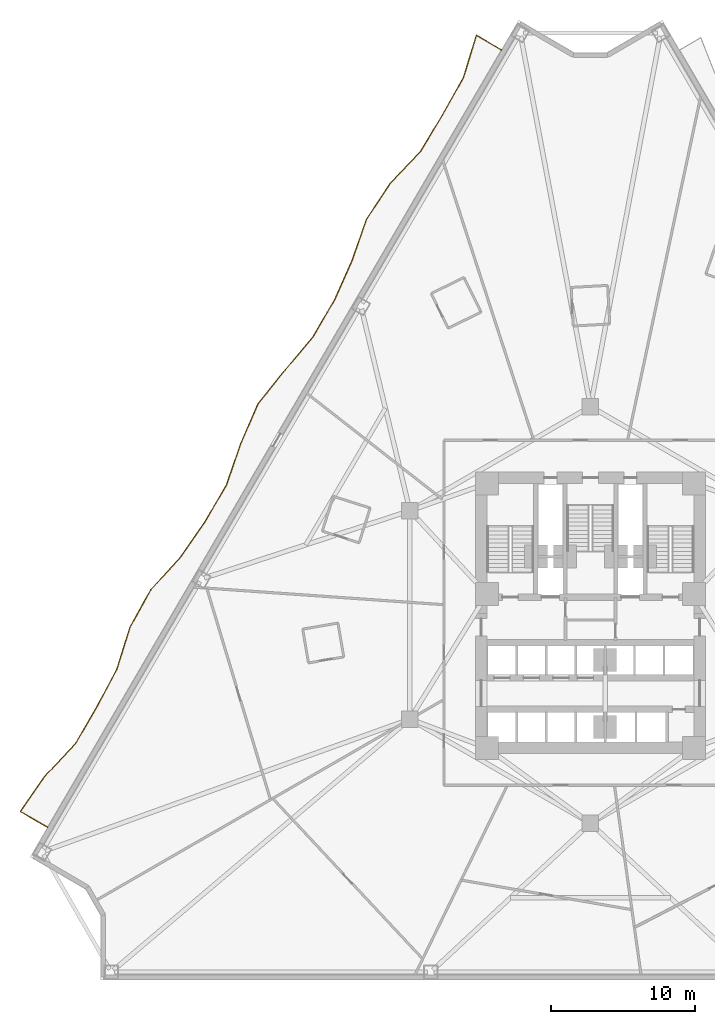
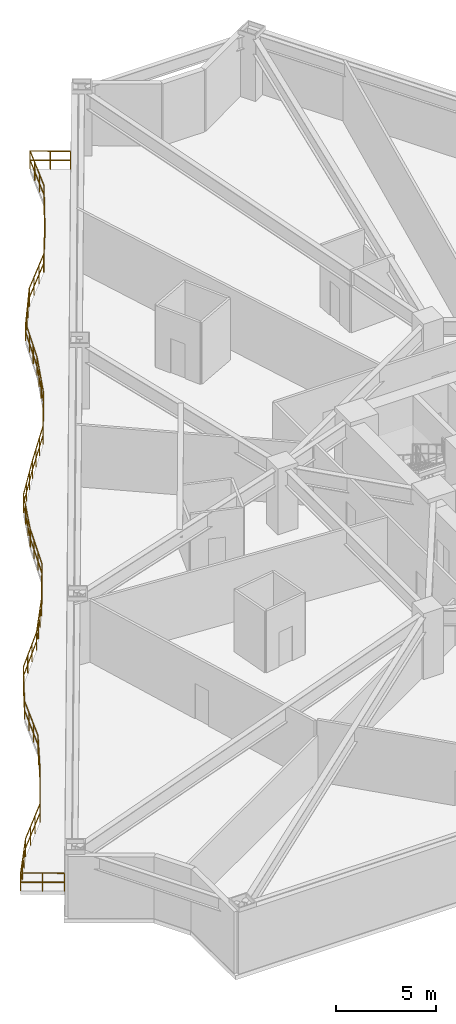
# One storey, part 9 of 11: 1 railing.
"""IFC4 building model written with IfcOpenShell, lengths in metres."""

from ifc_helpers import new_model, si_unit, direction, frame, origin, origin_2d, place, context, subcontext, project, spatial, rectangle, extrude, material, type_object, element, save


model = new_model("IFC4")

# Units and contexts
model_context = context("Model", 3, precision=1e-05, world=origin(), true_north=direction((0.0, 1.0)))
body_context = subcontext(model_context, "Body", "Model", "MODEL_VIEW")
ifc_project = project(units=[si_unit("LENGTHUNIT", "METRE"), si_unit("AREAUNIT", "SQUARE_METRE"), si_unit("VOLUMEUNIT", "CUBIC_METRE"), si_unit("PLANEANGLEUNIT", "RADIAN"), si_unit("MASSUNIT", "GRAM", prefix="KILO")], contexts=[model_context])

# Site, building, storey
site_placement = place(None, origin())
site = spatial("IfcSite", under=ifc_project, at=site_placement, CompositionType="ELEMENT")
building_placement = place(site_placement, origin())
building = spatial("IfcBuilding", under=site, at=building_placement, Name="Apsidion Concourse Tower", CompositionType="ELEMENT")
storey_placement = place(building_placement, frame((0.0, 0.0, 54.39990234375)))
storey = spatial("IfcBuildingStorey", under=building, at=storey_placement, Name="L11", CompositionType="ELEMENT", Elevation=54.39990234375)

# Railing
ifc_material = material(Name="Brushed stainless steel 316", Category="steel")
railing_type = type_object("IfcRailingType", Name="RL-BAL-1120", PredefinedType="BALUSTRADE", material=ifc_material)
railing_placement = place(storey_placement, frame((-37.789306640625, -14.772705078125, 0.0)))
element("IfcRailing", 1, at=railing_placement, inside=storey, type_object=railing_type, Name="L11 Face 1 Rippling Balcony Balustrade", PredefinedType="BALUSTRADE", context=body_context, shape_type="SweptSolid", body=[
    extrude(rectangle(XDim=0.048095703125, YDim=0.048095703125, at=origin_2d()), frame((0.0, 0.0, 1.09619140625), z_axis=(-0.863579747248, 0.504212276866, 0.0), x_axis=(-0.504212276866, -0.863579747248, 0.0)), (0.0, 0.0, 1.0), 2.179443359375),
    extrude(rectangle(XDim=0.048095703125, YDim=0.048095703125, at=origin_2d()), frame((0.0, 0.0, 0.5361328125), z_axis=(-0.863579747248, 0.504212276866, 0.0), x_axis=(-0.504212276866, -0.863579747248, 0.0)), (0.0, 0.0, 1.0), 2.179443359375),
    extrude(rectangle(XDim=0.048095703125, YDim=0.048095703125, at=origin_2d()), frame((-1.882080078125, 1.098876953125, 1.09619140625), z_axis=(0.570583871768, 0.821239334956, 0.0), x_axis=(-0.821239334956, 0.570583871768, 0.0)), (0.0, 0.0, 1.0), 2.9921875),
    extrude(rectangle(XDim=0.048095703125, YDim=0.048095703125, at=origin_2d()), frame((-1.882080078125, 1.098876953125, 0.5361328125), z_axis=(0.570583871768, 0.821239334956, 0.0), x_axis=(-0.821239334956, 0.570583871768, 0.0)), (0.0, 0.0, 1.0), 2.9921875),
    extrude(rectangle(XDim=0.048095703125, YDim=0.048095703125, at=origin_2d()), frame((-0.1748046875, 3.55615234375, 1.09619140625), z_axis=(0.686815446717, 0.726831852735, 0.0), x_axis=(-0.726831852735, 0.686815446717, 0.0)), (0.0, 0.0, 1.0), 3.062744140625),
    extrude(rectangle(XDim=0.048095703125, YDim=0.048095703125, at=origin_2d()), frame((-0.1748046875, 3.55615234375, 0.5361328125), z_axis=(0.686815446717, 0.726831852735, 0.0), x_axis=(-0.726831852735, 0.686815446717, 0.0)), (0.0, 0.0, 1.0), 3.062744140625),
    extrude(rectangle(XDim=0.048095703125, YDim=0.048095703125, at=origin_2d()), frame((1.9287109375, 5.7822265625, 1.09619140625), z_axis=(0.504191602526, 0.863591817899, 0.0), x_axis=(-0.863591817899, 0.504191602526, 0.0)), (0.0, 0.0, 1.0), 2.98291015625),
    extrude(rectangle(XDim=0.048095703125, YDim=0.048095703125, at=origin_2d()), frame((1.9287109375, 5.7822265625, 0.5361328125), z_axis=(0.504191602526, 0.863591817899, 0.0), x_axis=(-0.863591817899, 0.504191602526, 0.0)), (0.0, 0.0, 1.0), 2.98291015625),
    extrude(rectangle(XDim=0.048095703125, YDim=0.048095703125, at=origin_2d()), frame((3.4326171875, 8.358154296875, 1.09619140625), z_axis=(0.468706690181, 0.883353858077, 0.0), x_axis=(-0.883353858077, 0.468706690181, 0.0)), (0.0, 0.0, 1.0), 2.985107421875),
    extrude(rectangle(XDim=0.048095703125, YDim=0.048095703125, at=origin_2d()), frame((3.4326171875, 8.358154296875, 0.5361328125), z_axis=(0.468706690181, 0.883353858077, 0.0), x_axis=(-0.883353858077, 0.468706690181, 0.0)), (0.0, 0.0, 1.0), 2.985107421875),
    extrude(rectangle(XDim=0.048095703125, YDim=0.048095703125, at=origin_2d()), frame((4.831787109375, 10.9951171875, 1.09619140625), z_axis=(0.298175067832, 0.954511198951, 0.0), x_axis=(-0.954511198951, 0.298175067832, 0.0)), (0.0, 0.0, 1.0), 3.060546875),
    extrude(rectangle(XDim=0.048095703125, YDim=0.048095703125, at=origin_2d()), frame((4.831787109375, 10.9951171875, 0.5361328125), z_axis=(0.298175067832, 0.954511198951, 0.0), x_axis=(-0.954511198951, 0.298175067832, 0.0)), (0.0, 0.0, 1.0), 3.060546875),
    extrude(rectangle(XDim=0.048095703125, YDim=0.048095703125, at=origin_2d()), frame((5.744384765625, 13.91650390625, 1.09619140625), z_axis=(0.484871617303, 0.874585338737, 0.0), x_axis=(-0.874585338737, 0.484871617303, 0.0)), (0.0, 0.0, 1.0), 2.98388671875),
    extrude(rectangle(XDim=0.048095703125, YDim=0.048095703125, at=origin_2d()), frame((5.744384765625, 13.91650390625, 0.5361328125), z_axis=(0.484871617303, 0.874585338737, 0.0), x_axis=(-0.874585338737, 0.484871617303, 0.0)), (0.0, 0.0, 1.0), 2.98388671875),
    extrude(rectangle(XDim=0.048095703125, YDim=0.048095703125, at=origin_2d()), frame((7.191162109375, 16.526123046875, 1.09619140625), z_axis=(0.672636926405, 0.739972678709, 0.0), x_axis=(-0.739972678709, 0.672636926405, 0.0)), (0.0, 0.0, 1.0), 3.04931640625),
    extrude(rectangle(XDim=0.048095703125, YDim=0.048095703125, at=origin_2d()), frame((7.191162109375, 16.526123046875, 0.5361328125), z_axis=(0.672636926405, 0.739972678709, 0.0), x_axis=(-0.739972678709, 0.672636926405, 0.0)), (0.0, 0.0, 1.0), 3.04931640625),
    extrude(rectangle(XDim=0.048095703125, YDim=0.048095703125, at=origin_2d()), frame((9.2421875, 18.782470703125, 1.09619140625), z_axis=(0.571566347078, 0.820555854825, 0.0), x_axis=(-0.820555854825, 0.571566347078, 0.0)), (0.0, 0.0, 1.0), 2.99267578125),
    extrude(rectangle(XDim=0.048095703125, YDim=0.048095703125, at=origin_2d()), frame((9.2421875, 18.782470703125, 0.5361328125), z_axis=(0.571566347078, 0.820555854825, 0.0), x_axis=(-0.820555854825, 0.571566347078, 0.0)), (0.0, 0.0, 1.0), 2.99267578125),
    extrude(rectangle(XDim=0.048095703125, YDim=0.048095703125, at=origin_2d()), frame((10.95263671875, 21.238037109375, 1.09619140625), z_axis=(0.504252641195, 0.863556178745, 0.0), x_axis=(-0.863556178745, 0.504252641195, 0.0)), (0.0, 0.0, 1.0), 2.98291015625),
    extrude(rectangle(XDim=0.048095703125, YDim=0.048095703125, at=origin_2d()), frame((10.95263671875, 21.238037109375, 0.5361328125), z_axis=(0.504252641195, 0.863556178745, 0.0), x_axis=(-0.863556178745, 0.504252641195, 0.0)), (0.0, 0.0, 1.0), 2.98291015625),
    extrude(rectangle(XDim=0.048095703125, YDim=0.048095703125, at=origin_2d()), frame((12.456787109375, 23.81396484375, 1.09619140625), z_axis=(0.326324651447, 0.945257754191, 0.0), x_axis=(-0.945257754191, 0.326324651447, 0.0)), (0.0, 0.0, 1.0), 3.041259765625),
    extrude(rectangle(XDim=0.048095703125, YDim=0.048095703125, at=origin_2d()), frame((12.456787109375, 23.81396484375, 0.5361328125), z_axis=(0.326324651447, 0.945257754191, 0.0), x_axis=(-0.945257754191, 0.326324651447, 0.0)), (0.0, 0.0, 1.0), 3.041259765625),
    extrude(rectangle(XDim=0.048095703125, YDim=0.048095703125, at=origin_2d()), frame((13.44921875, 26.688720703125, 1.09619140625), z_axis=(0.398250550199, 0.917276675418, 0.0), x_axis=(-0.917276675418, 0.398250550199, 0.0)), (0.0, 0.0, 1.0), 3.00390625),
    extrude(rectangle(XDim=0.048095703125, YDim=0.048095703125, at=origin_2d()), frame((13.44921875, 26.688720703125, 0.5361328125), z_axis=(0.398250550199, 0.917276675418, 0.0), x_axis=(-0.917276675418, 0.398250550199, 0.0)), (0.0, 0.0, 1.0), 3.00390625),
    extrude(rectangle(XDim=0.048095703125, YDim=0.048095703125, at=origin_2d()), frame((14.6455078125, 29.444091796875, 1.09619140625), z_axis=(0.623954092014, 0.781460997785, 0.0), x_axis=(-0.781460997785, 0.623954092014, 0.0)), (0.0, 0.0, 1.0), 3.014892578125),
    extrude(rectangle(XDim=0.048095703125, YDim=0.048095703125, at=origin_2d()), frame((14.6455078125, 29.444091796875, 0.5361328125), z_axis=(0.623954092014, 0.781460997785, 0.0), x_axis=(-0.781460997785, 0.623954092014, 0.0)), (0.0, 0.0, 1.0), 3.014892578125),
    extrude(rectangle(XDim=0.048095703125, YDim=0.048095703125, at=origin_2d()), frame((16.526611328125, 31.800048828125, 1.09619140625), z_axis=(0.643052086844, 0.765822442611, 0.0), x_axis=(-0.765822442611, 0.643052086844, 0.0)), (0.0, 0.0, 1.0), 3.026611328125),
    extrude(rectangle(XDim=0.048095703125, YDim=0.048095703125, at=origin_2d()), frame((16.526611328125, 31.800048828125, 0.5361328125), z_axis=(0.643052086844, 0.765822442611, 0.0), x_axis=(-0.765822442611, 0.643052086844, 0.0)), (0.0, 0.0, 1.0), 3.026611328125),
    extrude(rectangle(XDim=0.048095703125, YDim=0.048095703125, at=origin_2d()), frame((18.472900390625, 34.117919921875, 1.09619140625), z_axis=(0.504191602526, 0.863591817899, 0.0), x_axis=(-0.863591817899, 0.504191602526, 0.0)), (0.0, 0.0, 1.0), 2.98291015625),
    extrude(rectangle(XDim=0.048095703125, YDim=0.048095703125, at=origin_2d()), frame((18.472900390625, 34.117919921875, 0.5361328125), z_axis=(0.504191602526, 0.863591817899, 0.0), x_axis=(-0.863591817899, 0.504191602526, 0.0)), (0.0, 0.0, 1.0), 2.98291015625),
    extrude(rectangle(XDim=0.048095703125, YDim=0.048095703125, at=origin_2d()), frame((19.976806640625, 36.69384765625, 1.09619140625), z_axis=(0.407368560122, 0.913263848088, 0.0), x_axis=(-0.913263848088, 0.407368560122, 0.0)), (0.0, 0.0, 1.0), 3.000732421875),
    extrude(rectangle(XDim=0.048095703125, YDim=0.048095703125, at=origin_2d()), frame((19.976806640625, 36.69384765625, 0.5361328125), z_axis=(0.407368560122, 0.913263848088, 0.0), x_axis=(-0.913263848088, 0.407368560122, 0.0)), (0.0, 0.0, 1.0), 3.000732421875),
    extrude(rectangle(XDim=0.048095703125, YDim=0.048095703125, at=origin_2d()), frame((21.19921875, 39.434326171875, 1.09619140625), z_axis=(0.329355501415, 0.944205991131, 0.0), x_axis=(-0.944205991131, 0.329355501415, 0.0)), (0.0, 0.0, 1.0), 3.039306640625),
    extrude(rectangle(XDim=0.048095703125, YDim=0.048095703125, at=origin_2d()), frame((21.19921875, 39.434326171875, 0.5361328125), z_axis=(0.329355501415, 0.944205991131, 0.0), x_axis=(-0.944205991131, 0.329355501415, 0.0)), (0.0, 0.0, 1.0), 3.039306640625),
    extrude(rectangle(XDim=0.048095703125, YDim=0.048095703125, at=origin_2d()), frame((22.2001953125, 42.303955078125, 1.09619140625), z_axis=(0.550165738333, 0.835055483405, 0.0), x_axis=(-0.835055483405, 0.550165738333, 0.0)), (0.0, 0.0, 1.0), 2.9873046875),
    extrude(rectangle(XDim=0.048095703125, YDim=0.048095703125, at=origin_2d()), frame((22.2001953125, 42.303955078125, 0.5361328125), z_axis=(0.550165738333, 0.835055483405, 0.0), x_axis=(-0.835055483405, 0.550165738333, 0.0)), (0.0, 0.0, 1.0), 2.9873046875),
    extrude(rectangle(XDim=0.048095703125, YDim=0.048095703125, at=origin_2d()), frame((23.84375, 44.798583984375, 1.09619140625), z_axis=(0.690022949717, 0.723787488745, 0.0), x_axis=(-0.723787488745, 0.690022949717, 0.0)), (0.0, 0.0, 1.0), 3.06591796875),
    extrude(rectangle(XDim=0.048095703125, YDim=0.048095703125, at=origin_2d()), frame((23.84375, 44.798583984375, 0.5361328125), z_axis=(0.690022949717, 0.723787488745, 0.0), x_axis=(-0.723787488745, 0.690022949717, 0.0)), (0.0, 0.0, 1.0), 3.06591796875),
    extrude(rectangle(XDim=0.048095703125, YDim=0.048095703125, at=origin_2d()), frame((25.959228515625, 47.017578125, 1.09619140625), z_axis=(0.515518405643, 0.856878505649, 0.0), x_axis=(-0.856878505649, 0.515518405643, 0.0)), (0.0, 0.0, 1.0), 2.983154296875),
    extrude(rectangle(XDim=0.048095703125, YDim=0.048095703125, at=origin_2d()), frame((25.959228515625, 47.017578125, 0.5361328125), z_axis=(0.515518405643, 0.856878505649, 0.0), x_axis=(-0.856878505649, 0.515518405643, 0.0)), (0.0, 0.0, 1.0), 2.983154296875),
    extrude(rectangle(XDim=0.048095703125, YDim=0.048095703125, at=origin_2d()), frame((27.4970703125, 49.57373046875, 1.09619140625), z_axis=(0.48804509805, 0.872818413113, 0.0), x_axis=(-0.872818413113, 0.48804509805, 0.0)), (0.0, 0.0, 1.0), 2.9833984375),
    extrude(rectangle(XDim=0.048095703125, YDim=0.048095703125, at=origin_2d()), frame((27.4970703125, 49.57373046875, 0.5361328125), z_axis=(0.48804509805, 0.872818413113, 0.0), x_axis=(-0.872818413113, 0.48804509805, 0.0)), (0.0, 0.0, 1.0), 2.9833984375),
    extrude(rectangle(XDim=0.048095703125, YDim=0.048095703125, at=origin_2d()), frame((28.953125, 52.177734375, 1.09619140625), z_axis=(0.292327811123, 0.956318174482, 0.0), x_axis=(-0.956318174482, 0.292327811123, 0.0)), (0.0, 0.0, 1.0), 3.06494140625),
    extrude(rectangle(XDim=0.048095703125, YDim=0.048095703125, at=origin_2d()), frame((28.953125, 52.177734375, 0.5361328125), z_axis=(0.292327811123, 0.956318174482, 0.0), x_axis=(-0.956318174482, 0.292327811123, 0.0)), (0.0, 0.0, 1.0), 3.06494140625),
    extrude(rectangle(XDim=0.048095703125, YDim=0.048095703125, at=origin_2d()), frame((29.84912109375, 55.10888671875, 1.09619140625), z_axis=(0.863532045826, -0.504293967673, 0.0), x_axis=(0.504293967673, 0.863532045826, 0.0)), (0.0, 0.0, 1.0), 2.009521484375),
    extrude(rectangle(XDim=0.048095703125, YDim=0.048095703125, at=origin_2d()), frame((29.84912109375, 55.10888671875, 0.5361328125), z_axis=(0.863532045826, -0.504293967673, 0.0), x_axis=(0.504293967673, 0.863532045826, 0.0)), (0.0, 0.0, 1.0), 2.009521484375),
    extrude(rectangle(XDim=0.0419921875, YDim=0.0419921875, at=origin_2d()), origin(), (0.0, 0.0, 1.0), 1.072021484375),
    extrude(rectangle(XDim=0.0419921875, YDim=0.0419921875, at=origin_2d()), frame((-0.94091796875, 0.54931640625, 0.0)), (0.0, 0.0, 1.0), 1.072021484375),
    extrude(rectangle(XDim=0.0419921875, YDim=0.0419921875, at=origin_2d()), frame((-1.882080078125, 1.098876953125, 0.0)), (0.0, 0.0, 1.0), 1.072021484375),
    extrude(rectangle(XDim=0.0419921875, YDim=0.0419921875, at=origin_2d()), frame((-1.31298828125, 1.91796875, 0.0)), (0.0, 0.0, 1.0), 1.072021484375),
    extrude(rectangle(XDim=0.0419921875, YDim=0.0419921875, at=origin_2d()), frame((-0.743896484375, 2.737060546875, 0.0)), (0.0, 0.0, 1.0), 1.072021484375),
    extrude(rectangle(XDim=0.0419921875, YDim=0.0419921875, at=origin_2d()), frame((-0.1748046875, 3.55615234375, 0.0)), (0.0, 0.0, 1.0), 1.072021484375),
    extrude(rectangle(XDim=0.0419921875, YDim=0.0419921875, at=origin_2d()), frame((0.5263671875, 4.298095703125, 0.0)), (0.0, 0.0, 1.0), 1.072021484375),
    extrude(rectangle(XDim=0.0419921875, YDim=0.0419921875, at=origin_2d()), frame((1.2275390625, 5.040283203125, 0.0)), (0.0, 0.0, 1.0), 1.072021484375),
    extrude(rectangle(XDim=0.0419921875, YDim=0.0419921875, at=origin_2d()), frame((1.9287109375, 5.7822265625, 0.0)), (0.0, 0.0, 1.0), 1.072021484375),
    extrude(rectangle(XDim=0.0419921875, YDim=0.0419921875, at=origin_2d()), frame((2.429931640625, 6.640869140625, 0.0)), (0.0, 0.0, 1.0), 1.072021484375),
    extrude(rectangle(XDim=0.0419921875, YDim=0.0419921875, at=origin_2d()), frame((2.931396484375, 7.49951171875, 0.0)), (0.0, 0.0, 1.0), 1.072021484375),
    extrude(rectangle(XDim=0.0419921875, YDim=0.0419921875, at=origin_2d()), frame((3.4326171875, 8.358154296875, 0.0)), (0.0, 0.0, 1.0), 1.072021484375),
    extrude(rectangle(XDim=0.0419921875, YDim=0.0419921875, at=origin_2d()), frame((3.89892578125, 9.237060546875, 0.0)), (0.0, 0.0, 1.0), 1.072021484375),
    extrude(rectangle(XDim=0.0419921875, YDim=0.0419921875, at=origin_2d()), frame((4.365478515625, 10.1162109375, 0.0)), (0.0, 0.0, 1.0), 1.072021484375),
    extrude(rectangle(XDim=0.0419921875, YDim=0.0419921875, at=origin_2d()), frame((4.831787109375, 10.9951171875, 0.0)), (0.0, 0.0, 1.0), 1.072021484375),
    extrude(rectangle(XDim=0.0419921875, YDim=0.0419921875, at=origin_2d()), frame((5.135986328125, 11.968994140625, 0.0)), (0.0, 0.0, 1.0), 1.072021484375),
    extrude(rectangle(XDim=0.0419921875, YDim=0.0419921875, at=origin_2d()), frame((5.440185546875, 12.942626953125, 0.0)), (0.0, 0.0, 1.0), 1.072021484375),
    extrude(rectangle(XDim=0.0419921875, YDim=0.0419921875, at=origin_2d()), frame((5.744384765625, 13.91650390625, 0.0)), (0.0, 0.0, 1.0), 1.072021484375),
    extrude(rectangle(XDim=0.0419921875, YDim=0.0419921875, at=origin_2d()), frame((6.2265625, 14.786376953125, 0.0)), (0.0, 0.0, 1.0), 1.072021484375),
    extrude(rectangle(XDim=0.0419921875, YDim=0.0419921875, at=origin_2d()), frame((6.708984375, 15.65625, 0.0)), (0.0, 0.0, 1.0), 1.072021484375),
    extrude(rectangle(XDim=0.0419921875, YDim=0.0419921875, at=origin_2d()), frame((7.191162109375, 16.526123046875, 0.0)), (0.0, 0.0, 1.0), 1.072021484375),
    extrude(rectangle(XDim=0.0419921875, YDim=0.0419921875, at=origin_2d()), frame((7.874755859375, 17.2783203125, 0.0)), (0.0, 0.0, 1.0), 1.072021484375),
    extrude(rectangle(XDim=0.0419921875, YDim=0.0419921875, at=origin_2d()), frame((8.55859375, 18.0302734375, 0.0)), (0.0, 0.0, 1.0), 1.072021484375),
    extrude(rectangle(XDim=0.0419921875, YDim=0.0419921875, at=origin_2d()), frame((9.2421875, 18.782470703125, 0.0)), (0.0, 0.0, 1.0), 1.072021484375),
    extrude(rectangle(XDim=0.0419921875, YDim=0.0419921875, at=origin_2d()), frame((9.812255859375, 19.60107421875, 0.0)), (0.0, 0.0, 1.0), 1.072021484375),
    extrude(rectangle(XDim=0.0419921875, YDim=0.0419921875, at=origin_2d()), frame((10.382568359375, 20.41943359375, 0.0)), (0.0, 0.0, 1.0), 1.072021484375),
    extrude(rectangle(XDim=0.0419921875, YDim=0.0419921875, at=origin_2d()), frame((10.95263671875, 21.238037109375, 0.0)), (0.0, 0.0, 1.0), 1.072021484375),
    extrude(rectangle(XDim=0.0419921875, YDim=0.0419921875, at=origin_2d()), frame((11.4541015625, 22.0966796875, 0.0)), (0.0, 0.0, 1.0), 1.072021484375),
    extrude(rectangle(XDim=0.0419921875, YDim=0.0419921875, at=origin_2d()), frame((11.955322265625, 22.955322265625, 0.0)), (0.0, 0.0, 1.0), 1.072021484375),
    extrude(rectangle(XDim=0.0419921875, YDim=0.0419921875, at=origin_2d()), frame((12.456787109375, 23.81396484375, 0.0)), (0.0, 0.0, 1.0), 1.072021484375),
    extrude(rectangle(XDim=0.0419921875, YDim=0.0419921875, at=origin_2d()), frame((12.78759765625, 24.772216796875, 0.0)), (0.0, 0.0, 1.0), 1.072021484375),
    extrude(rectangle(XDim=0.0419921875, YDim=0.0419921875, at=origin_2d()), frame((13.118408203125, 25.73046875, 0.0)), (0.0, 0.0, 1.0), 1.072021484375),
    extrude(rectangle(XDim=0.0419921875, YDim=0.0419921875, at=origin_2d()), frame((13.44921875, 26.688720703125, 0.0)), (0.0, 0.0, 1.0), 1.072021484375),
    extrude(rectangle(XDim=0.0419921875, YDim=0.0419921875, at=origin_2d()), frame((13.847900390625, 27.607177734375, 0.0)), (0.0, 0.0, 1.0), 1.072021484375),
    extrude(rectangle(XDim=0.0419921875, YDim=0.0419921875, at=origin_2d()), frame((14.246826171875, 28.525634765625, 0.0)), (0.0, 0.0, 1.0), 1.072021484375),
    extrude(rectangle(XDim=0.0419921875, YDim=0.0419921875, at=origin_2d()), frame((14.6455078125, 29.444091796875, 0.0)), (0.0, 0.0, 1.0), 1.072021484375),
    extrude(rectangle(XDim=0.0419921875, YDim=0.0419921875, at=origin_2d()), frame((15.2724609375, 30.2294921875, 0.0)), (0.0, 0.0, 1.0), 1.072021484375),
    extrude(rectangle(XDim=0.0419921875, YDim=0.0419921875, at=origin_2d()), frame((15.899658203125, 31.0146484375, 0.0)), (0.0, 0.0, 1.0), 1.072021484375),
    extrude(rectangle(XDim=0.0419921875, YDim=0.0419921875, at=origin_2d()), frame((16.526611328125, 31.800048828125, 0.0)), (0.0, 0.0, 1.0), 1.072021484375),
    extrude(rectangle(XDim=0.0419921875, YDim=0.0419921875, at=origin_2d()), frame((17.17529296875, 32.57275390625, 0.0)), (0.0, 0.0, 1.0), 1.072021484375),
    extrude(rectangle(XDim=0.0419921875, YDim=0.0419921875, at=origin_2d()), frame((17.82421875, 33.34521484375, 0.0)), (0.0, 0.0, 1.0), 1.072021484375),
    extrude(rectangle(XDim=0.0419921875, YDim=0.0419921875, at=origin_2d()), frame((18.472900390625, 34.117919921875, 0.0)), (0.0, 0.0, 1.0), 1.072021484375),
    extrude(rectangle(XDim=0.0419921875, YDim=0.0419921875, at=origin_2d()), frame((18.97412109375, 34.9765625, 0.0)), (0.0, 0.0, 1.0), 1.072021484375),
    extrude(rectangle(XDim=0.0419921875, YDim=0.0419921875, at=origin_2d()), frame((19.4755859375, 35.835205078125, 0.0)), (0.0, 0.0, 1.0), 1.072021484375),
    extrude(rectangle(XDim=0.0419921875, YDim=0.0419921875, at=origin_2d()), frame((19.976806640625, 36.69384765625, 0.0)), (0.0, 0.0, 1.0), 1.072021484375),
    extrude(rectangle(XDim=0.0419921875, YDim=0.0419921875, at=origin_2d()), frame((20.38427734375, 37.607421875, 0.0)), (0.0, 0.0, 1.0), 1.072021484375),
    extrude(rectangle(XDim=0.0419921875, YDim=0.0419921875, at=origin_2d()), frame((20.791748046875, 38.520751953125, 0.0)), (0.0, 0.0, 1.0), 1.072021484375),
    extrude(rectangle(XDim=0.0419921875, YDim=0.0419921875, at=origin_2d()), frame((21.19921875, 39.434326171875, 0.0)), (0.0, 0.0, 1.0), 1.072021484375),
    extrude(rectangle(XDim=0.0419921875, YDim=0.0419921875, at=origin_2d()), frame((21.532958984375, 40.390869140625, 0.0)), (0.0, 0.0, 1.0), 1.072021484375),
    extrude(rectangle(XDim=0.0419921875, YDim=0.0419921875, at=origin_2d()), frame((21.866455078125, 41.347412109375, 0.0)), (0.0, 0.0, 1.0), 1.072021484375),
    extrude(rectangle(XDim=0.0419921875, YDim=0.0419921875, at=origin_2d()), frame((22.2001953125, 42.303955078125, 0.0)), (0.0, 0.0, 1.0), 1.072021484375),
    extrude(rectangle(XDim=0.0419921875, YDim=0.0419921875, at=origin_2d()), frame((22.748046875, 43.135498046875, 0.0)), (0.0, 0.0, 1.0), 1.072021484375),
    extrude(rectangle(XDim=0.0419921875, YDim=0.0419921875, at=origin_2d()), frame((23.2958984375, 43.967041015625, 0.0)), (0.0, 0.0, 1.0), 1.072021484375),
    extrude(rectangle(XDim=0.0419921875, YDim=0.0419921875, at=origin_2d()), frame((23.84375, 44.798583984375, 0.0)), (0.0, 0.0, 1.0), 1.072021484375),
    extrude(rectangle(XDim=0.0419921875, YDim=0.0419921875, at=origin_2d()), frame((24.548828125, 45.538330078125, 0.0)), (0.0, 0.0, 1.0), 1.072021484375),
    extrude(rectangle(XDim=0.0419921875, YDim=0.0419921875, at=origin_2d()), frame((25.254150390625, 46.27783203125, 0.0)), (0.0, 0.0, 1.0), 1.072021484375),
    extrude(rectangle(XDim=0.0419921875, YDim=0.0419921875, at=origin_2d()), frame((25.959228515625, 47.017578125, 0.0)), (0.0, 0.0, 1.0), 1.072021484375),
    extrude(rectangle(XDim=0.0419921875, YDim=0.0419921875, at=origin_2d()), frame((26.471923828125, 47.86962890625, 0.0)), (0.0, 0.0, 1.0), 1.072021484375),
    extrude(rectangle(XDim=0.0419921875, YDim=0.0419921875, at=origin_2d()), frame((26.984375, 48.7216796875, 0.0)), (0.0, 0.0, 1.0), 1.072021484375),
    extrude(rectangle(XDim=0.0419921875, YDim=0.0419921875, at=origin_2d()), frame((27.4970703125, 49.57373046875, 0.0)), (0.0, 0.0, 1.0), 1.072021484375),
    extrude(rectangle(XDim=0.0419921875, YDim=0.0419921875, at=origin_2d()), frame((27.982421875, 50.441650390625, 0.0)), (0.0, 0.0, 1.0), 1.072021484375),
    extrude(rectangle(XDim=0.0419921875, YDim=0.0419921875, at=origin_2d()), frame((28.4677734375, 51.309814453125, 0.0)), (0.0, 0.0, 1.0), 1.072021484375),
    extrude(rectangle(XDim=0.0419921875, YDim=0.0419921875, at=origin_2d()), frame((28.953125, 52.177734375, 0.0)), (0.0, 0.0, 1.0), 1.072021484375),
    extrude(rectangle(XDim=0.0419921875, YDim=0.0419921875, at=origin_2d()), frame((29.251708984375, 53.15478515625, 0.0)), (0.0, 0.0, 1.0), 1.072021484375),
    extrude(rectangle(XDim=0.0419921875, YDim=0.0419921875, at=origin_2d()), frame((29.550537109375, 54.1318359375, 0.0)), (0.0, 0.0, 1.0), 1.072021484375),
    extrude(rectangle(XDim=0.0419921875, YDim=0.0419921875, at=origin_2d()), frame((29.84912109375, 55.10888671875, 0.0)), (0.0, 0.0, 1.0), 1.072021484375),
    extrude(rectangle(XDim=0.0419921875, YDim=0.0419921875, at=origin_2d()), frame((30.716796875, 54.60205078125, 0.0)), (0.0, 0.0, 1.0), 1.072021484375),
    extrude(rectangle(XDim=0.0419921875, YDim=0.0419921875, at=origin_2d()), frame((31.58447265625, 54.095458984375, 0.0)), (0.0, 0.0, 1.0), 1.072021484375),
])

save(model, "model.ifc")
